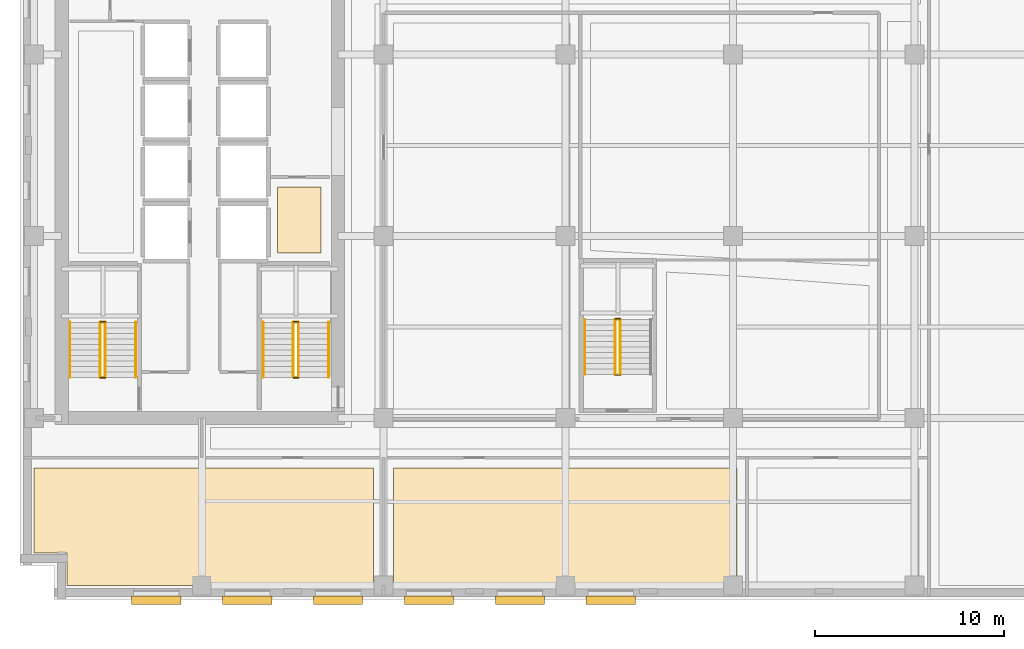
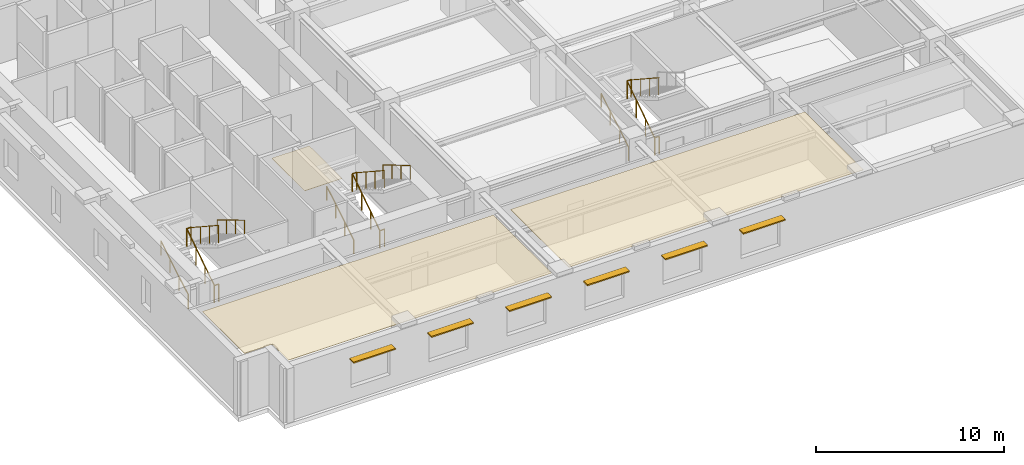
# One storey, part 8 of 12: 17 railings, 6 shading devices, 3 coverings.
"""IFC4 building model written with IfcOpenShell, lengths in metres."""

from ifc_helpers import new_model, si_unit, direction, frame, origin, origin_2d, place, context, subcontext, project, spatial, polyline, rectangle, circle, outline, extrude, material, layer, layer_set, type_object, element, save


model = new_model("IFC4")

# Units and contexts
model_context = context("Model", 3, precision=1e-05, world=origin(), true_north=direction((0.0, 1.0)))
body_context = subcontext(model_context, "Body", "Model", "MODEL_VIEW")
ifc_project = project(units=[si_unit("LENGTHUNIT", "METRE"), si_unit("AREAUNIT", "SQUARE_METRE"), si_unit("VOLUMEUNIT", "CUBIC_METRE"), si_unit("PLANEANGLEUNIT", "RADIAN"), si_unit("MASSUNIT", "GRAM", prefix="KILO")], contexts=[model_context])

# Site, building, storey
site_placement = place(None, origin())
site = spatial("IfcSite", under=ifc_project, at=site_placement, CompositionType="ELEMENT")
building_placement = place(site_placement, origin())
building = spatial("IfcBuilding", under=site, at=building_placement, Name="Norrvale University Quadrangle", CompositionType="ELEMENT")
storey_placement = place(building_placement, frame((0.0, 0.0, 105.199951171875)))
storey = spatial("IfcBuildingStorey", under=building, at=storey_placement, Name="L26", CompositionType="ELEMENT", Elevation=105.199951171875)

# Coverings
ifc_material_1 = material(Name="Perforated Acoustic Mineral Ceiling")
ifc_layer_1 = layer(ifc_material_1, 0.02490234375, Name="Perforated Acoustic Mineral Ceiling")
ifc_layer_set_1 = layer_set([ifc_layer_1], Name="Perforated Acoustic Mineral Ceiling")
covering_type_1 = type_object("IfcCoveringType", Name="Covering Acoustic Ceiling 25", PredefinedType="CEILING", material=ifc_layer_set_1)
covering_1_placement = place(storey_placement, frame((0.0, 0.0, 3.51513671875)))
element("IfcCovering", 1, at=covering_1_placement, inside=storey, type_object=covering_type_1, Name="Acoustic Ceiling RM-L26-S01", PredefinedType="CEILING", context=body_context, shape_type="SweptSolid", body=[
    extrude(outline(polyline([(0.75, 6.969970703125), (18.669921875, 6.969970703125), (18.669921875, 0.75), (2.469970703125, 0.75), (2.469970703125, 2.469970703125), (0.75, 2.469970703125), (0.75, 6.969970703125)])), origin(), (0.0, 0.0, 1.0), 0.02490234375),
])
covering_2_placement = place(storey_placement, frame((0.0, 0.0, 3.51513671875)))
element("IfcCovering", 2, at=covering_2_placement, inside=storey, type_object=covering_type_1, Name="Acoustic Ceiling RM-L26-S02", PredefinedType="CEILING", context=body_context, shape_type="SweptSolid", body=[
    extrude(outline(polyline([(19.72998046875, 6.969970703125), (37.8701171875, 6.969970703125), (37.8701171875, 0.75), (19.72998046875, 0.75), (19.72998046875, 6.969970703125)])), origin(), (0.0, 0.0, 1.0), 0.02490234375),
])
ifc_material_2 = material(Name="Polished Terrazzo Flooring")
ifc_layer_2 = layer(ifc_material_2, 0.02490234375, Name="Polished Terrazzo Flooring")
ifc_layer_set_2 = layer_set([ifc_layer_2], Name="Polished Terrazzo Flooring")
covering_type_2 = type_object("IfcCoveringType", Name="Covering Terrazzo Floor 30", PredefinedType="FLOORING", material=ifc_layer_set_2)
covering_3_placement = place(storey_placement, origin())
element("IfcCovering", 3, at=covering_3_placement, inside=storey, type_object=covering_type_2, Name="Terrazzo Flooring RM-L26-JAN", PredefinedType="FLOORING", context=body_context, shape_type="SweptSolid", body=[
    extrude(outline(polyline([(13.60009765625, 18.300048828125), (13.60009765625, 21.800048828125), (15.89990234375, 21.800048828125), (15.89990234375, 18.300048828125), (13.60009765625, 18.300048828125)])), origin(), (0.0, 0.0, 1.0), 0.025146484375),
])

# Railings
ifc_material_3 = material(Name="Steel 350W Painted Balustrade", Category="steel")
railing_type_1 = type_object("IfcRailingType", Name="Railing Stair Guard 1100", PredefinedType="GUARDRAIL", material=ifc_material_3)
for number, where, name in (
    (4, (4.239990234375, 11.719970703125, 0.0), "Stair Floor Well Guard ST-01 L26"),
    (5, (4.239990234375, 14.679931640625, 1.900146484375), "Stair Mid-Landing Slot Guard ST-01 L26"),
):
    element("IfcRailing", number, at=place(storey_placement, frame(where)), inside=storey, type_object=railing_type_1, Name=name, PredefinedType="GUARDRAIL", context=body_context, shape_type="SweptSolid", body=[
        extrude(circle(Radius=0.02392578125, at=origin_2d()), frame((0.0, 0.0, 1.1259765625), z_axis=(1.0, 0.0, 0.0), x_axis=(0.0, 1.0, 0.0)), (0.0, 0.0, 1.0), 0.27001953125),
        extrude(circle(Radius=0.02099609375, at=origin_2d()), origin(), (0.0, 0.0, 1.0), 1.101806640625),
        extrude(circle(Radius=0.02099609375, at=origin_2d()), frame((0.27001953125, 0.0, 0.0)), (0.0, 0.0, 1.0), 1.101806640625),
    ])
railing_1_placement = place(storey_placement, frame((4.239990234375, 11.75, 0.0)))
element("IfcRailing", 6, at=railing_1_placement, inside=storey, type_object=railing_type_1, Name="Stair Lower Flight Inner Guard ST-01 L26", PredefinedType="GUARDRAIL", context=body_context, shape_type="SweptSolid", body=[
    extrude(circle(Radius=0.02392578125, at=origin_2d()), frame((0.0, 0.0, 1.1259765625), z_axis=(0.0, 0.836433300813, 0.548068730445), x_axis=(-1.0, 0.0, 0.0)), (0.0, 0.0, 1.0), 3.467041015625),
    extrude(circle(Radius=0.02099609375, at=origin_2d()), origin(), (0.0, 0.0, 1.0), 1.101806640625),
    extrude(circle(Radius=0.02099609375, at=origin_2d()), frame((0.0, 0.966552734375, 0.63330078125)), (0.0, 0.0, 1.0), 1.101806640625),
    extrude(circle(Radius=0.02099609375, at=origin_2d()), frame((0.0, 1.933349609375, 1.266845703125)), (0.0, 0.0, 1.0), 1.101806640625),
    extrude(circle(Radius=0.02099609375, at=origin_2d()), frame((0.0, 2.89990234375, 1.900146484375)), (0.0, 0.0, 1.0), 1.101806640625),
])
railing_2_placement = place(storey_placement, frame((4.510009765625, 14.64990234375, 1.900146484375)))
element("IfcRailing", 7, at=railing_2_placement, inside=storey, type_object=railing_type_1, Name="Stair Upper Flight Inner Guard ST-01 L26", PredefinedType="GUARDRAIL", context=body_context, shape_type="SweptSolid", body=[
    extrude(circle(Radius=0.02392578125, at=origin_2d()), frame((0.0, 0.0, 1.1259765625), z_axis=(0.0, -0.836465582154, 0.548019461216), x_axis=(1.0, 0.0, 0.0)), (0.0, 0.0, 1.0), 3.466796875),
    extrude(circle(Radius=0.02099609375, at=origin_2d()), origin(), (0.0, 0.0, 1.0), 1.101806640625),
    extrude(circle(Radius=0.02099609375, at=origin_2d()), frame((0.0, -0.966552734375, 0.63330078125)), (0.0, 0.0, 1.0), 1.101806640625),
    extrude(circle(Radius=0.02099609375, at=origin_2d()), frame((0.0, -1.933349609375, 1.2666015625)), (0.0, 0.0, 1.0), 1.101806640625),
    extrude(circle(Radius=0.02099609375, at=origin_2d()), frame((0.0, -2.89990234375, 1.89990234375)), (0.0, 0.0, 1.0), 1.101806640625),
])
for number, where, name in (
    (8, (14.43994140625, 11.719970703125, 0.0), "Stair Floor Well Guard ST-03 L26"),
    (9, (14.43994140625, 14.679931640625, 1.900146484375), "Stair Mid-Landing Slot Guard ST-03 L26"),
):
    element("IfcRailing", number, at=place(storey_placement, frame(where)), inside=storey, type_object=railing_type_1, Name=name, PredefinedType="GUARDRAIL", context=body_context, shape_type="SweptSolid", body=[
        extrude(circle(Radius=0.02392578125, at=origin_2d()), frame((0.0, 0.0, 1.1259765625), z_axis=(1.0, 0.0, 0.0), x_axis=(0.0, 1.0, 0.0)), (0.0, 0.0, 1.0), 0.27001953125),
        extrude(circle(Radius=0.02099609375, at=origin_2d()), origin(), (0.0, 0.0, 1.0), 1.101806640625),
        extrude(circle(Radius=0.02099609375, at=origin_2d()), frame((0.27001953125, 0.0, 0.0)), (0.0, 0.0, 1.0), 1.101806640625),
    ])
railing_3_placement = place(storey_placement, frame((14.43994140625, 11.75, 0.0)))
element("IfcRailing", 10, at=railing_3_placement, inside=storey, type_object=railing_type_1, Name="Stair Lower Flight Inner Guard ST-03 L26", PredefinedType="GUARDRAIL", context=body_context, shape_type="SweptSolid", body=[
    extrude(circle(Radius=0.02392578125, at=origin_2d()), frame((0.0, 0.0, 1.1259765625), z_axis=(0.0, 0.836433300813, 0.548068730445), x_axis=(-1.0, 0.0, 0.0)), (0.0, 0.0, 1.0), 3.467041015625),
    extrude(circle(Radius=0.02099609375, at=origin_2d()), origin(), (0.0, 0.0, 1.0), 1.101806640625),
    extrude(circle(Radius=0.02099609375, at=origin_2d()), frame((0.0, 0.966552734375, 0.63330078125)), (0.0, 0.0, 1.0), 1.101806640625),
    extrude(circle(Radius=0.02099609375, at=origin_2d()), frame((0.0, 1.933349609375, 1.266845703125)), (0.0, 0.0, 1.0), 1.101806640625),
    extrude(circle(Radius=0.02099609375, at=origin_2d()), frame((0.0, 2.89990234375, 1.900146484375)), (0.0, 0.0, 1.0), 1.101806640625),
])
railing_4_placement = place(storey_placement, frame((14.7099609375, 14.64990234375, 1.900146484375)))
element("IfcRailing", 11, at=railing_4_placement, inside=storey, type_object=railing_type_1, Name="Stair Upper Flight Inner Guard ST-03 L26", PredefinedType="GUARDRAIL", context=body_context, shape_type="SweptSolid", body=[
    extrude(circle(Radius=0.02392578125, at=origin_2d()), frame((0.0, 0.0, 1.1259765625), z_axis=(0.0, -0.836465582154, 0.548019461216), x_axis=(1.0, 0.0, 0.0)), (0.0, 0.0, 1.0), 3.466796875),
    extrude(circle(Radius=0.02099609375, at=origin_2d()), origin(), (0.0, 0.0, 1.0), 1.101806640625),
    extrude(circle(Radius=0.02099609375, at=origin_2d()), frame((0.0, -0.966552734375, 0.63330078125)), (0.0, 0.0, 1.0), 1.101806640625),
    extrude(circle(Radius=0.02099609375, at=origin_2d()), frame((0.0, -1.933349609375, 1.2666015625)), (0.0, 0.0, 1.0), 1.101806640625),
    extrude(circle(Radius=0.02099609375, at=origin_2d()), frame((0.0, -2.89990234375, 1.89990234375)), (0.0, 0.0, 1.0), 1.101806640625),
])
for number, where, name in (
    (12, (31.43994140625, 11.8701171875, 0.0), "Stair Floor Well Guard ST-04 L26"),
    (13, (31.43994140625, 14.830078125, 1.900146484375), "Stair Mid-Landing Slot Guard ST-04 L26"),
):
    element("IfcRailing", number, at=place(storey_placement, frame(where)), inside=storey, type_object=railing_type_1, Name=name, PredefinedType="GUARDRAIL", context=body_context, shape_type="SweptSolid", body=[
        extrude(circle(Radius=0.02392578125, at=origin_2d()), frame((0.0, 0.0, 1.1259765625), z_axis=(1.0, 0.0, 0.0), x_axis=(0.0, 1.0, 0.0)), (0.0, 0.0, 1.0), 0.27001953125),
        extrude(circle(Radius=0.02099609375, at=origin_2d()), origin(), (0.0, 0.0, 1.0), 1.101806640625),
        extrude(circle(Radius=0.02099609375, at=origin_2d()), frame((0.27001953125, 0.0, 0.0)), (0.0, 0.0, 1.0), 1.101806640625),
    ])
railing_5_placement = place(storey_placement, frame((31.43994140625, 11.89990234375, 0.0)))
element("IfcRailing", 14, at=railing_5_placement, inside=storey, type_object=railing_type_1, Name="Stair Lower Flight Inner Guard ST-04 L26", PredefinedType="GUARDRAIL", context=body_context, shape_type="SweptSolid", body=[
    extrude(circle(Radius=0.02392578125, at=origin_2d()), frame((0.0, 0.0, 1.1259765625), z_axis=(0.0, 0.836454451266, 0.548036450392), x_axis=(-1.0, 0.0, 0.0)), (0.0, 0.0, 1.0), 3.46728515625),
    extrude(circle(Radius=0.02099609375, at=origin_2d()), origin(), (0.0, 0.0, 1.0), 1.101806640625),
    extrude(circle(Radius=0.02099609375, at=origin_2d()), frame((0.0, 0.966796875, 0.63330078125)), (0.0, 0.0, 1.0), 1.101806640625),
    extrude(circle(Radius=0.02099609375, at=origin_2d()), frame((0.0, 1.933349609375, 1.266845703125)), (0.0, 0.0, 1.0), 1.101806640625),
    extrude(circle(Radius=0.02099609375, at=origin_2d()), frame((0.0, 2.900146484375, 1.900146484375)), (0.0, 0.0, 1.0), 1.101806640625),
])
railing_6_placement = place(storey_placement, frame((31.7099609375, 14.800048828125, 1.900146484375)))
element("IfcRailing", 15, at=railing_6_placement, inside=storey, type_object=railing_type_1, Name="Stair Upper Flight Inner Guard ST-04 L26", PredefinedType="GUARDRAIL", context=body_context, shape_type="SweptSolid", body=[
    extrude(circle(Radius=0.02392578125, at=origin_2d()), frame((0.0, 0.0, 1.1259765625), z_axis=(0.0, -0.836486729621, 0.547987181573), x_axis=(1.0, 0.0, 0.0)), (0.0, 0.0, 1.0), 3.467041015625),
    extrude(circle(Radius=0.02099609375, at=origin_2d()), origin(), (0.0, 0.0, 1.0), 1.101806640625),
    extrude(circle(Radius=0.02099609375, at=origin_2d()), frame((0.0, -0.966796875, 0.63330078125)), (0.0, 0.0, 1.0), 1.101806640625),
    extrude(circle(Radius=0.02099609375, at=origin_2d()), frame((0.0, -1.933349609375, 1.2666015625)), (0.0, 0.0, 1.0), 1.101806640625),
    extrude(circle(Radius=0.02099609375, at=origin_2d()), frame((0.0, -2.900146484375, 1.89990234375)), (0.0, 0.0, 1.0), 1.101806640625),
])
ifc_material_4 = material(Name="Stainless Steel 316L Handrail", Category="steel")
railing_type_2 = type_object("IfcRailingType", Name="Railing Stair Handrail 920", PredefinedType="HANDRAIL", material=ifc_material_4)
railing_7_placement = place(storey_placement, frame((2.639892578125, 11.75, 0.1728515625)))
element("IfcRailing", 16, at=railing_7_placement, inside=storey, type_object=railing_type_2, Name="Stair Lower Flight Handrail ST-01 L26", PredefinedType="HANDRAIL", context=body_context, shape_type="SweptSolid", body=[
    extrude(circle(Radius=0.02392578125, at=origin_2d()), frame((0.0, 0.0, 0.89599609375), z_axis=(0.0, 0.859141464434, 0.511738159696), x_axis=(-1.0, 0.0, 0.0)), (0.0, 0.0, 1.0), 3.375244140625),
    extrude(circle(Radius=0.02099609375, at=origin_2d()), origin(), (0.0, 0.0, 1.0), 0.871826171875),
    extrude(circle(Radius=0.02099609375, at=origin_2d()), frame((0.0, 0.966552734375, 0.57568359375)), (0.0, 0.0, 1.0), 0.871826171875),
    extrude(circle(Radius=0.02099609375, at=origin_2d()), frame((0.0, 1.933349609375, 1.151611328125)), (0.0, 0.0, 1.0), 0.871826171875),
    extrude(circle(Radius=0.02099609375, at=origin_2d()), frame((0.0, 2.89990234375, 1.727294921875)), (0.0, 0.0, 1.0), 0.871826171875),
])
railing_8_placement = place(storey_placement, frame((6.110107421875, 14.64990234375, 2.07275390625)))
element("IfcRailing", 17, at=railing_8_placement, inside=storey, type_object=railing_type_2, Name="Stair Upper Flight Handrail ST-01 L26", PredefinedType="HANDRAIL", context=body_context, shape_type="SweptSolid", body=[
    extrude(circle(Radius=0.02392578125, at=origin_2d()), frame((0.0, 0.0, 0.89599609375), z_axis=(0.0, -0.859141464434, 0.511738159696), x_axis=(1.0, 0.0, 0.0)), (0.0, 0.0, 1.0), 3.375244140625),
    extrude(circle(Radius=0.02099609375, at=origin_2d()), origin(), (0.0, 0.0, 1.0), 0.871826171875),
    extrude(circle(Radius=0.02099609375, at=origin_2d()), frame((0.0, -0.966552734375, 0.57568359375)), (0.0, 0.0, 1.0), 0.871826171875),
    extrude(circle(Radius=0.02099609375, at=origin_2d()), frame((0.0, -1.933349609375, 1.151611328125)), (0.0, 0.0, 1.0), 0.871826171875),
    extrude(circle(Radius=0.02099609375, at=origin_2d()), frame((0.0, -2.89990234375, 1.727294921875)), (0.0, 0.0, 1.0), 0.871826171875),
])
railing_9_placement = place(storey_placement, frame((12.840087890625, 11.75, 0.1728515625)))
element("IfcRailing", 18, at=railing_9_placement, inside=storey, type_object=railing_type_2, Name="Stair Lower Flight Handrail ST-03 L26", PredefinedType="HANDRAIL", context=body_context, shape_type="SweptSolid", body=[
    extrude(circle(Radius=0.02392578125, at=origin_2d()), frame((0.0, 0.0, 0.89599609375), z_axis=(0.0, 0.859141464434, 0.511738159696), x_axis=(-1.0, 0.0, 0.0)), (0.0, 0.0, 1.0), 3.375244140625),
    extrude(circle(Radius=0.02099609375, at=origin_2d()), origin(), (0.0, 0.0, 1.0), 0.871826171875),
    extrude(circle(Radius=0.02099609375, at=origin_2d()), frame((0.0, 0.966552734375, 0.57568359375)), (0.0, 0.0, 1.0), 0.871826171875),
    extrude(circle(Radius=0.02099609375, at=origin_2d()), frame((0.0, 1.933349609375, 1.151611328125)), (0.0, 0.0, 1.0), 0.871826171875),
    extrude(circle(Radius=0.02099609375, at=origin_2d()), frame((0.0, 2.89990234375, 1.727294921875)), (0.0, 0.0, 1.0), 0.871826171875),
])
railing_10_placement = place(storey_placement, frame((16.31005859375, 14.64990234375, 2.07275390625)))
element("IfcRailing", 19, at=railing_10_placement, inside=storey, type_object=railing_type_2, Name="Stair Upper Flight Handrail ST-03 L26", PredefinedType="HANDRAIL", context=body_context, shape_type="SweptSolid", body=[
    extrude(circle(Radius=0.02392578125, at=origin_2d()), frame((0.0, 0.0, 0.89599609375), z_axis=(0.0, -0.859141464434, 0.511738159696), x_axis=(1.0, 0.0, 0.0)), (0.0, 0.0, 1.0), 3.375244140625),
    extrude(circle(Radius=0.02099609375, at=origin_2d()), origin(), (0.0, 0.0, 1.0), 0.871826171875),
    extrude(circle(Radius=0.02099609375, at=origin_2d()), frame((0.0, -0.966552734375, 0.57568359375)), (0.0, 0.0, 1.0), 0.871826171875),
    extrude(circle(Radius=0.02099609375, at=origin_2d()), frame((0.0, -1.933349609375, 1.151611328125)), (0.0, 0.0, 1.0), 0.871826171875),
    extrude(circle(Radius=0.02099609375, at=origin_2d()), frame((0.0, -2.89990234375, 1.727294921875)), (0.0, 0.0, 1.0), 0.871826171875),
])
railing_11_placement = place(storey_placement, frame((29.840087890625, 11.89990234375, 0.1728515625)))
element("IfcRailing", 20, at=railing_11_placement, inside=storey, type_object=railing_type_2, Name="Stair Lower Flight Handrail ST-04 L26", PredefinedType="HANDRAIL", context=body_context, shape_type="SweptSolid", body=[
    extrude(circle(Radius=0.02392578125, at=origin_2d()), frame((0.0, 0.0, 0.89599609375), z_axis=(0.0, 0.859160404282, 0.51170636083), x_axis=(-1.0, 0.0, 0.0)), (0.0, 0.0, 1.0), 3.37548828125),
    extrude(circle(Radius=0.02099609375, at=origin_2d()), origin(), (0.0, 0.0, 1.0), 0.871826171875),
    extrude(circle(Radius=0.02099609375, at=origin_2d()), frame((0.0, 0.966796875, 0.57568359375)), (0.0, 0.0, 1.0), 0.871826171875),
    extrude(circle(Radius=0.02099609375, at=origin_2d()), frame((0.0, 1.933349609375, 1.151611328125)), (0.0, 0.0, 1.0), 0.871826171875),
    extrude(circle(Radius=0.02099609375, at=origin_2d()), frame((0.0, 2.900146484375, 1.727294921875)), (0.0, 0.0, 1.0), 0.871826171875),
])

# Shading devices
ifc_material_5 = material(Name="Anodized Aluminium 6063-T6", Category="aluminium")
ifc_layer_3 = layer(ifc_material_5, 0.080078125, Name="Anodized Aluminium 6063-T6")
ifc_layer_set_3 = layer_set([ifc_layer_3], Name="Anodized Aluminium 6063-T6")
shading_device_type = type_object("IfcShadingDeviceType", Name="Shade South Sunshade 450", PredefinedType="USERDEFINED", material=ifc_layer_set_3)
for number, where, z_axis, x_axis, name in (
    (21, (7.199951171875, -0.02001953125, 2.719970703125), (0.0, 0.0, 1.0), (1.0, 0.0, 0.0), "South Solar Brise-Soleil 19"),
    (22, (12.0, -0.02001953125, 2.719970703125), (0.0, 0.0, 1.0), (1.0, 0.0, 0.0), "South Solar Brise-Soleil 20"),
    (23, (16.800048828125, -0.02001953125, 2.719970703125), (0.0, 0.0, 1.0), (1.0, 0.0, 0.0), "South Solar Brise-Soleil 21"),
    (24, (21.60009765625, -0.02001953125, 2.719970703125), (0.0, 0.0, 1.0), (1.0, 0.0, 0.0), "South Solar Brise-Soleil 22"),
    (25, (26.39990234375, -0.02001953125, 2.719970703125), (0.0, 0.0, 1.0), (1.0, 0.0, 0.0), "South Solar Brise-Soleil 23"),
    (26, (31.199951171875, -0.02001953125, 2.719970703125), (0.0, 0.0, 1.0), (1.0, 0.0, 0.0), "South Solar Brise-Soleil 24"),
):
    element("IfcShadingDevice", number, at=place(storey_placement, frame(where, z_axis=z_axis, x_axis=x_axis)), inside=storey, type_object=shading_device_type, Name=name, ObjectType="SUNSHADE", PredefinedType="USERDEFINED", context=body_context, shape_type="SweptSolid", body=[
        extrude(rectangle(XDim=2.60009765625, YDim=0.449951171875, at=origin_2d()), origin(), (0.0, 0.0, 1.0), 0.080078125),
    ])

save(model, "model.ifc")
